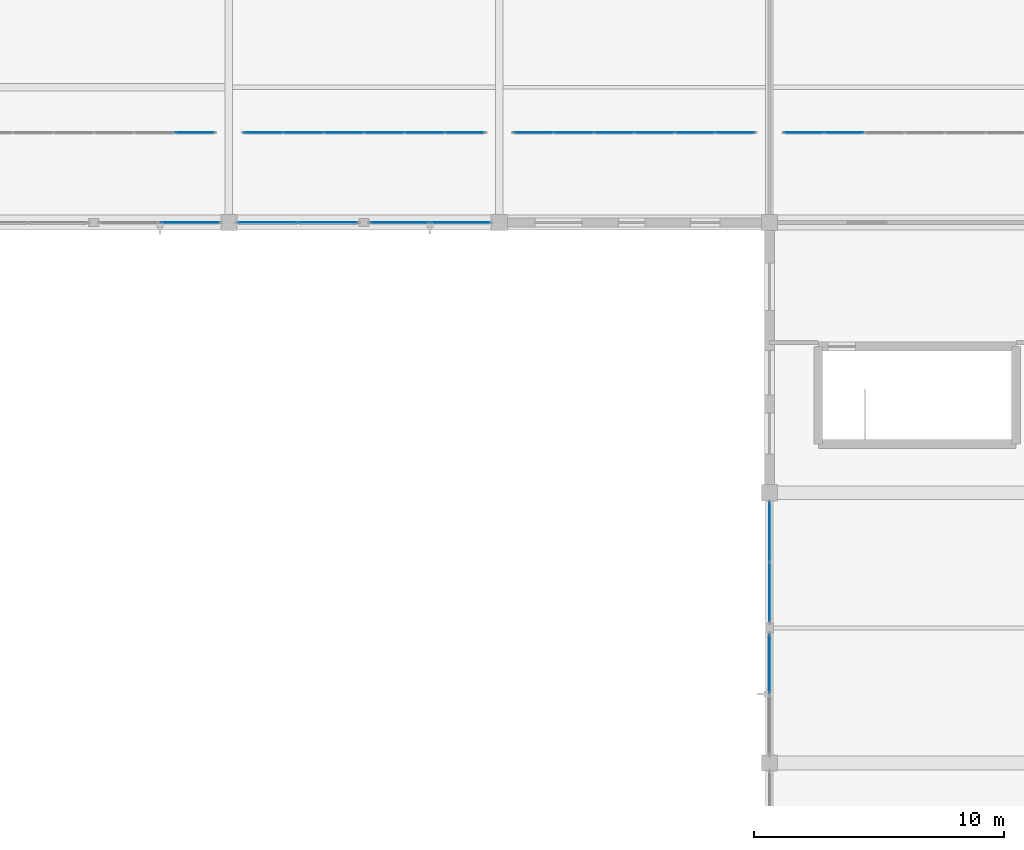
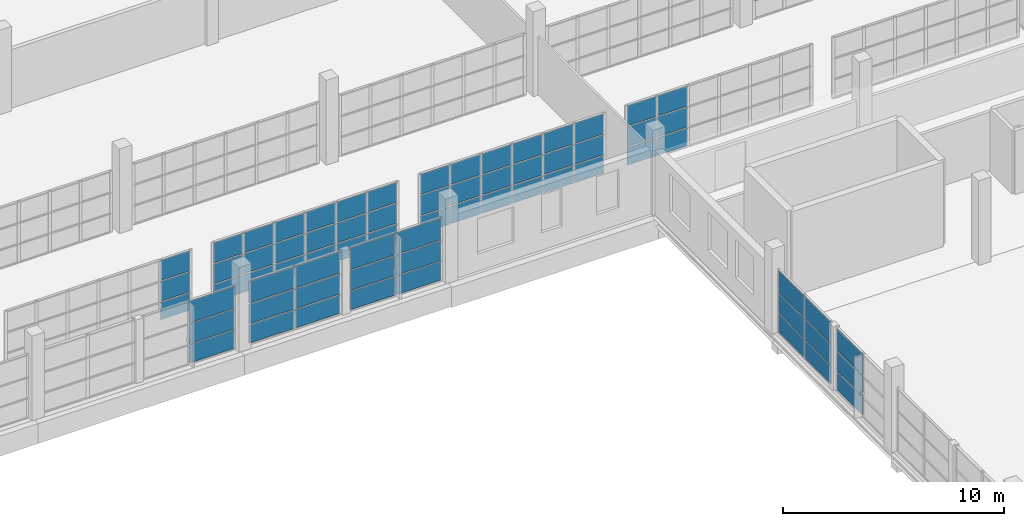
# One storey, part 99 of 142: 69 plates, 9 elements without a shape of their own.
"""IFC4 building model written with IfcOpenShell, lengths in metres."""

from ifc_helpers import new_model, si_unit, direction, frame, origin, origin_2d, place, context, subcontext, project, spatial, rectangle, extrude, material, layer, layer_set, type_object, element, aggregate, save


model = new_model("IFC4")

# Units and contexts
model_context = context("Model", 3, precision=1e-05, world=origin(), true_north=direction((0.0, 1.0)))
body_context = subcontext(model_context, "Body", "Model", "MODEL_VIEW")
ifc_project = project(units=[si_unit("LENGTHUNIT", "METRE"), si_unit("AREAUNIT", "SQUARE_METRE"), si_unit("VOLUMEUNIT", "CUBIC_METRE"), si_unit("PLANEANGLEUNIT", "RADIAN"), si_unit("MASSUNIT", "GRAM", prefix="KILO")], contexts=[model_context])

# Site, building, storey
site_placement = place(None, origin())
site = spatial("IfcSite", under=ifc_project, at=site_placement, CompositionType="ELEMENT")
building_placement = place(site_placement, origin())
building = spatial("IfcBuilding", under=site, at=building_placement, Name="Zwinboog Wholesale Market", CompositionType="ELEMENT")
storey_placement = place(building_placement, frame((0.0, 0.0, 5.39990234375)))
storey = spatial("IfcBuildingStorey", under=building, at=storey_placement, Name="L01", CompositionType="ELEMENT", Elevation=5.39990234375)

# Curtain wall, plates
ifc_material_1 = material(Name="Aluminium thermally broken curtain wall", Category="aluminium")
curtain_wall_type_1 = type_object("IfcCurtainWallType", Name="CWT-OFF-15", PredefinedType="USERDEFINED", material=ifc_material_1)
curtain_wall_1_placement = place(storey_placement, origin())
curtain_wall_1 = element("IfcCurtainWall", 1, at=curtain_wall_1_placement, inside=storey, type_object=curtain_wall_type_1, Name="CW-06 (CW-L01-114)", ObjectType="UNITIZED_CURTAIN_WALL", PredefinedType="USERDEFINED")
ifc_material_2 = material(Name="Triple solar-control insulated glazing", Category="glass")
ifc_layer_1 = layer(ifc_material_2, 0.0380859375)
ifc_layer_set_1 = layer_set([ifc_layer_1], Name="Triple solar-control insulated glazing")
plate_type_1 = type_object("IfcPlateType", Name="CWP-IGU-38", PredefinedType="CURTAIN_PANEL", material=ifc_layer_set_1)
plate_1_placement = place(storey_placement, frame((128.044921875, 86.39990234375, 0.06005859375), z_axis=(0.0, 0.0, 1.0), x_axis=(1.0, 0.0, 0.0)))
plate_1 = element("IfcPlate", 2, at=plate_1_placement, type_object=plate_type_1, Name="CW-06 panel 2.1", PredefinedType="CURTAIN_PANEL", context=body_context, shape_type="SweptSolid", body=[
    extrude(rectangle(XDim=2.35009765625, YDim=0.0380859375, at=origin_2d()), origin(), (0.0, 0.0, 1.0), 1.010009765625),
])
plate_2_placement = place(storey_placement, frame((128.044921875, 86.39990234375, 1.1298828125), z_axis=(0.0, 0.0, 1.0), x_axis=(1.0, 0.0, 0.0)))
plate_2 = element("IfcPlate", 3, at=plate_2_placement, type_object=plate_type_1, Name="CW-06 panel 2.2", PredefinedType="CURTAIN_PANEL", context=body_context, shape_type="SweptSolid", body=[
    extrude(rectangle(XDim=2.35009765625, YDim=0.0380859375, at=origin_2d()), origin(), (0.0, 0.0, 1.0), 1.090087890625),
])
plate_3_placement = place(storey_placement, frame((128.044921875, 86.39990234375, 2.280029296875), z_axis=(0.0, 0.0, 1.0), x_axis=(1.0, 0.0, 0.0)))
plate_3 = element("IfcPlate", 4, at=plate_3_placement, type_object=plate_type_1, Name="CW-06 panel 2.3", PredefinedType="CURTAIN_PANEL", context=body_context, shape_type="SweptSolid", body=[
    extrude(rectangle(XDim=2.35009765625, YDim=0.0380859375, at=origin_2d()), origin(), (0.0, 0.0, 1.0), 1.18994140625),
])
aggregate(curtain_wall_1, [plate_1, plate_2, plate_3])

curtain_wall_type_2 = type_object("IfcCurtainWallType", Name="CWT-CAFE-22", PredefinedType="USERDEFINED", material=ifc_material_1)
curtain_wall_2_placement = place(storey_placement, origin())
curtain_wall_2 = element("IfcCurtainWall", 5, at=curtain_wall_2_placement, inside=storey, type_object=curtain_wall_type_2, Name="CW-05 (CW-L01-119)", ObjectType="STOREFRONT_GLAZING", PredefinedType="USERDEFINED")
plate_4_placement = place(storey_placement, frame((131.15625, 86.39990234375, 0.065185546875), z_axis=(0.0, 0.0, 1.0), x_axis=(1.0, 0.0, 0.0)))
plate_4 = element("IfcPlate", 6, at=plate_4_placement, type_object=plate_type_1, Name="CW-05 panel 1.1", PredefinedType="CURTAIN_PANEL", context=body_context, shape_type="SweptSolid", body=[
    extrude(rectangle(XDim=2.342529296875, YDim=0.0380859375, at=origin_2d()), origin(), (0.0, 0.0, 1.0), 1.00244140625),
])
plate_5_placement = place(storey_placement, frame((131.15625, 86.39990234375, 1.132568359375), z_axis=(0.0, 0.0, 1.0), x_axis=(1.0, 0.0, 0.0)))
plate_5 = element("IfcPlate", 7, at=plate_5_placement, type_object=plate_type_1, Name="CW-05 panel 1.2", PredefinedType="CURTAIN_PANEL", context=body_context, shape_type="SweptSolid", body=[
    extrude(rectangle(XDim=2.342529296875, YDim=0.0380859375, at=origin_2d()), origin(), (0.0, 0.0, 1.0), 1.0849609375),
])
plate_6_placement = place(storey_placement, frame((131.15625, 86.39990234375, 2.282470703125), z_axis=(0.0, 0.0, 1.0), x_axis=(1.0, 0.0, 0.0)))
plate_6 = element("IfcPlate", 8, at=plate_6_placement, type_object=plate_type_1, Name="CW-05 panel 1.3", PredefinedType="CURTAIN_PANEL", context=body_context, shape_type="SweptSolid", body=[
    extrude(rectangle(XDim=2.342529296875, YDim=0.0380859375, at=origin_2d()), origin(), (0.0, 0.0, 1.0), 1.1826171875),
])
plate_7_placement = place(storey_placement, frame((133.563720703125, 86.39990234375, 0.065185546875), z_axis=(0.0, 0.0, 1.0), x_axis=(1.0, 0.0, 0.0)))
plate_7 = element("IfcPlate", 9, at=plate_7_placement, type_object=plate_type_1, Name="CW-05 panel 2.1", PredefinedType="CURTAIN_PANEL", context=body_context, shape_type="SweptSolid", body=[
    extrude(rectangle(XDim=2.342529296875, YDim=0.0380859375, at=origin_2d()), origin(), (0.0, 0.0, 1.0), 1.00244140625),
])
plate_8_placement = place(storey_placement, frame((133.563720703125, 86.39990234375, 1.132568359375), z_axis=(0.0, 0.0, 1.0), x_axis=(1.0, 0.0, 0.0)))
plate_8 = element("IfcPlate", 10, at=plate_8_placement, type_object=plate_type_1, Name="CW-05 panel 2.2", PredefinedType="CURTAIN_PANEL", context=body_context, shape_type="SweptSolid", body=[
    extrude(rectangle(XDim=2.342529296875, YDim=0.0380859375, at=origin_2d()), origin(), (0.0, 0.0, 1.0), 1.0849609375),
])
plate_9_placement = place(storey_placement, frame((133.563720703125, 86.39990234375, 2.282470703125), z_axis=(0.0, 0.0, 1.0), x_axis=(1.0, 0.0, 0.0)))
plate_9 = element("IfcPlate", 11, at=plate_9_placement, type_object=plate_type_1, Name="CW-05 panel 2.3", PredefinedType="CURTAIN_PANEL", context=body_context, shape_type="SweptSolid", body=[
    extrude(rectangle(XDim=2.342529296875, YDim=0.0380859375, at=origin_2d()), origin(), (0.0, 0.0, 1.0), 1.1826171875),
])
aggregate(curtain_wall_2, [plate_4, plate_5, plate_6, plate_7, plate_8, plate_9])

curtain_wall_3_placement = place(storey_placement, origin())
curtain_wall_3 = element("IfcCurtainWall", 12, at=curtain_wall_3_placement, inside=storey, type_object=curtain_wall_type_1, Name="CW-06 (CW-L01-120)", ObjectType="UNITIZED_CURTAIN_WALL", PredefinedType="USERDEFINED")
plate_10_placement = place(storey_placement, frame((136.43505859375, 86.39990234375, 0.06005859375), z_axis=(0.0, 0.0, 1.0), x_axis=(1.0, 0.0, 0.0)))
plate_10 = element("IfcPlate", 13, at=plate_10_placement, type_object=plate_type_1, Name="CW-06 panel 1.1", PredefinedType="CURTAIN_PANEL", context=body_context, shape_type="SweptSolid", body=[
    extrude(rectangle(XDim=2.35009765625, YDim=0.0380859375, at=origin_2d()), origin(), (0.0, 0.0, 1.0), 1.010009765625),
])
plate_11_placement = place(storey_placement, frame((136.43505859375, 86.39990234375, 1.1298828125), z_axis=(0.0, 0.0, 1.0), x_axis=(1.0, 0.0, 0.0)))
plate_11 = element("IfcPlate", 14, at=plate_11_placement, type_object=plate_type_1, Name="CW-06 panel 1.2", PredefinedType="CURTAIN_PANEL", context=body_context, shape_type="SweptSolid", body=[
    extrude(rectangle(XDim=2.35009765625, YDim=0.0380859375, at=origin_2d()), origin(), (0.0, 0.0, 1.0), 1.090087890625),
])
plate_12_placement = place(storey_placement, frame((136.43505859375, 86.39990234375, 2.280029296875), z_axis=(0.0, 0.0, 1.0), x_axis=(1.0, 0.0, 0.0)))
plate_12 = element("IfcPlate", 15, at=plate_12_placement, type_object=plate_type_1, Name="CW-06 panel 1.3", PredefinedType="CURTAIN_PANEL", context=body_context, shape_type="SweptSolid", body=[
    extrude(rectangle(XDim=2.35009765625, YDim=0.0380859375, at=origin_2d()), origin(), (0.0, 0.0, 1.0), 1.18994140625),
])
plate_13_placement = place(storey_placement, frame((138.844970703125, 86.39990234375, 0.06005859375), z_axis=(0.0, 0.0, 1.0), x_axis=(1.0, 0.0, 0.0)))
plate_13 = element("IfcPlate", 16, at=plate_13_placement, type_object=plate_type_1, Name="CW-06 panel 2.1", PredefinedType="CURTAIN_PANEL", context=body_context, shape_type="SweptSolid", body=[
    extrude(rectangle(XDim=2.35009765625, YDim=0.0380859375, at=origin_2d()), origin(), (0.0, 0.0, 1.0), 1.010009765625),
])
plate_14_placement = place(storey_placement, frame((138.844970703125, 86.39990234375, 1.1298828125), z_axis=(0.0, 0.0, 1.0), x_axis=(1.0, 0.0, 0.0)))
plate_14 = element("IfcPlate", 17, at=plate_14_placement, type_object=plate_type_1, Name="CW-06 panel 2.2", PredefinedType="CURTAIN_PANEL", context=body_context, shape_type="SweptSolid", body=[
    extrude(rectangle(XDim=2.35009765625, YDim=0.0380859375, at=origin_2d()), origin(), (0.0, 0.0, 1.0), 1.090087890625),
])
plate_15_placement = place(storey_placement, frame((138.844970703125, 86.39990234375, 2.280029296875), z_axis=(0.0, 0.0, 1.0), x_axis=(1.0, 0.0, 0.0)))
plate_15 = element("IfcPlate", 18, at=plate_15_placement, type_object=plate_type_1, Name="CW-06 panel 2.3", PredefinedType="CURTAIN_PANEL", context=body_context, shape_type="SweptSolid", body=[
    extrude(rectangle(XDim=2.35009765625, YDim=0.0380859375, at=origin_2d()), origin(), (0.0, 0.0, 1.0), 1.18994140625),
])
aggregate(curtain_wall_3, [plate_10, plate_11, plate_12, plate_13, plate_14, plate_15])

curtain_wall_type_3 = type_object("IfcCurtainWallType", Name="CWT-HALL-24", PredefinedType="USERDEFINED", material=ifc_material_1)
curtain_wall_4_placement = place(storey_placement, origin())
curtain_wall_4 = element("IfcCurtainWall", 19, at=curtain_wall_4_placement, inside=storey, type_object=curtain_wall_type_3, Name="CW-03 (CW-L01-129)", ObjectType="UNITIZED_CURTAIN_WALL", PredefinedType="USERDEFINED")
plate_16_placement = place(storey_placement, frame((151.199951171875, 68.763671875, 0.065185546875), z_axis=(0.0, 0.0, 1.0), x_axis=(0.0, 1.0, 0.0)))
plate_16 = element("IfcPlate", 20, at=plate_16_placement, type_object=plate_type_1, Name="CW-03 panel 2.1", PredefinedType="CURTAIN_PANEL", context=body_context, shape_type="SweptSolid", body=[
    extrude(rectangle(XDim=2.342529296875, YDim=0.0380859375, at=origin_2d()), origin(), (0.0, 0.0, 1.0), 1.00244140625),
])
plate_17_placement = place(storey_placement, frame((151.199951171875, 68.763671875, 1.132568359375), z_axis=(0.0, 0.0, 1.0), x_axis=(0.0, 1.0, 0.0)))
plate_17 = element("IfcPlate", 21, at=plate_17_placement, type_object=plate_type_1, Name="CW-03 panel 2.2", PredefinedType="CURTAIN_PANEL", context=body_context, shape_type="SweptSolid", body=[
    extrude(rectangle(XDim=2.342529296875, YDim=0.0380859375, at=origin_2d()), origin(), (0.0, 0.0, 1.0), 1.0849609375),
])
plate_18_placement = place(storey_placement, frame((151.199951171875, 68.763671875, 2.282470703125), z_axis=(0.0, 0.0, 1.0), x_axis=(0.0, 1.0, 0.0)))
plate_18 = element("IfcPlate", 22, at=plate_18_placement, type_object=plate_type_1, Name="CW-03 panel 2.3", PredefinedType="CURTAIN_PANEL", context=body_context, shape_type="SweptSolid", body=[
    extrude(rectangle(XDim=2.342529296875, YDim=0.0380859375, at=origin_2d()), origin(), (0.0, 0.0, 1.0), 1.1826171875),
])
aggregate(curtain_wall_4, [plate_16, plate_17, plate_18])

curtain_wall_type_4 = type_object("IfcCurtainWallType", Name="CWT-GAL-16", PredefinedType="USERDEFINED", material=ifc_material_1)
curtain_wall_5_placement = place(storey_placement, origin())
curtain_wall_5 = element("IfcCurtainWall", 23, at=curtain_wall_5_placement, inside=storey, type_object=curtain_wall_type_4, Name="CW-04 (CW-L01-130)", ObjectType="UNITIZED_CURTAIN_WALL", PredefinedType="USERDEFINED")
plate_19_placement = place(storey_placement, frame((151.199951171875, 71.635009765625, 0.06005859375), z_axis=(0.0, 0.0, 1.0), x_axis=(0.0, 1.0, 0.0)))
plate_19 = element("IfcPlate", 24, at=plate_19_placement, type_object=plate_type_1, Name="CW-04 panel 1.1", PredefinedType="CURTAIN_PANEL", context=body_context, shape_type="SweptSolid", body=[
    extrude(rectangle(XDim=2.35009765625, YDim=0.0380859375, at=origin_2d()), origin(), (0.0, 0.0, 1.0), 1.010009765625),
])
plate_20_placement = place(storey_placement, frame((151.199951171875, 71.635009765625, 1.1298828125), z_axis=(0.0, 0.0, 1.0), x_axis=(0.0, 1.0, 0.0)))
plate_20 = element("IfcPlate", 25, at=plate_20_placement, type_object=plate_type_1, Name="CW-04 panel 1.2", PredefinedType="CURTAIN_PANEL", context=body_context, shape_type="SweptSolid", body=[
    extrude(rectangle(XDim=2.35009765625, YDim=0.0380859375, at=origin_2d()), origin(), (0.0, 0.0, 1.0), 1.090087890625),
])
plate_21_placement = place(storey_placement, frame((151.199951171875, 71.635009765625, 2.280029296875), z_axis=(0.0, 0.0, 1.0), x_axis=(0.0, 1.0, 0.0)))
plate_21 = element("IfcPlate", 26, at=plate_21_placement, type_object=plate_type_1, Name="CW-04 panel 1.3", PredefinedType="CURTAIN_PANEL", context=body_context, shape_type="SweptSolid", body=[
    extrude(rectangle(XDim=2.35009765625, YDim=0.0380859375, at=origin_2d()), origin(), (0.0, 0.0, 1.0), 1.18994140625),
])
plate_22_placement = place(storey_placement, frame((151.199951171875, 74.044921875, 0.06005859375), z_axis=(0.0, 0.0, 1.0), x_axis=(0.0, 1.0, 0.0)))
plate_22 = element("IfcPlate", 27, at=plate_22_placement, type_object=plate_type_1, Name="CW-04 panel 2.1", PredefinedType="CURTAIN_PANEL", context=body_context, shape_type="SweptSolid", body=[
    extrude(rectangle(XDim=2.35009765625, YDim=0.0380859375, at=origin_2d()), origin(), (0.0, 0.0, 1.0), 1.010009765625),
])
plate_23_placement = place(storey_placement, frame((151.199951171875, 74.044921875, 1.1298828125), z_axis=(0.0, 0.0, 1.0), x_axis=(0.0, 1.0, 0.0)))
plate_23 = element("IfcPlate", 28, at=plate_23_placement, type_object=plate_type_1, Name="CW-04 panel 2.2", PredefinedType="CURTAIN_PANEL", context=body_context, shape_type="SweptSolid", body=[
    extrude(rectangle(XDim=2.35009765625, YDim=0.0380859375, at=origin_2d()), origin(), (0.0, 0.0, 1.0), 1.090087890625),
])
plate_24_placement = place(storey_placement, frame((151.199951171875, 74.044921875, 2.280029296875), z_axis=(0.0, 0.0, 1.0), x_axis=(0.0, 1.0, 0.0)))
plate_24 = element("IfcPlate", 29, at=plate_24_placement, type_object=plate_type_1, Name="CW-04 panel 2.3", PredefinedType="CURTAIN_PANEL", context=body_context, shape_type="SweptSolid", body=[
    extrude(rectangle(XDim=2.35009765625, YDim=0.0380859375, at=origin_2d()), origin(), (0.0, 0.0, 1.0), 1.18994140625),
])
aggregate(curtain_wall_5, [plate_19, plate_20, plate_21, plate_22, plate_23, plate_24])

curtain_wall_type_5 = type_object("IfcCurtainWallType", Name="CWT-INT-STALL", PredefinedType="USERDEFINED", material=ifc_material_1)
curtain_wall_6_placement = place(storey_placement, origin())
curtain_wall_6 = element("IfcCurtainWall", 30, at=curtain_wall_6_placement, inside=storey, type_object=curtain_wall_type_5, Name="CW-07 (CW-STL-240)", ObjectType="STOREFRONT_GLAZING", PredefinedType="USERDEFINED")
ifc_material_3 = material(Name="Tempered laminated market stall glazing", Category="glass")
ifc_layer_2 = layer(ifc_material_3, 0.01611328125)
ifc_layer_set_2 = layer_set([ifc_layer_2], Name="Tempered laminated market stall glazing")
plate_type_2 = type_object("IfcPlateType", Name="CWP-INT-16", PredefinedType="CURTAIN_PANEL", material=ifc_layer_set_2)
plate_25_placement = place(storey_placement, frame((128.2265625, 90.0, 0.06005859375), z_axis=(0.0, 0.0, 1.0), x_axis=(1.0, 0.0, 0.0)))
plate_25 = element("IfcPlate", 31, at=plate_25_placement, type_object=plate_type_2, Name="CW-07 panel 6.1", PredefinedType="CURTAIN_PANEL", context=body_context, shape_type="SweptSolid", body=[
    extrude(rectangle(XDim=1.526611328125, YDim=0.01611328125, at=origin_2d()), origin(), (0.0, 0.0, 1.0), 0.9599609375),
])
plate_26_placement = place(storey_placement, frame((128.2265625, 90.0, 1.080078125), z_axis=(0.0, 0.0, 1.0), x_axis=(1.0, 0.0, 0.0)))
plate_26 = element("IfcPlate", 32, at=plate_26_placement, type_object=plate_type_2, Name="CW-07 panel 6.2", PredefinedType="CURTAIN_PANEL", context=body_context, shape_type="SweptSolid", body=[
    extrude(rectangle(XDim=1.526611328125, YDim=0.01611328125, at=origin_2d()), origin(), (0.0, 0.0, 1.0), 1.090087890625),
])
plate_27_placement = place(storey_placement, frame((128.2265625, 90.0, 2.22998046875), z_axis=(0.0, 0.0, 1.0), x_axis=(1.0, 0.0, 0.0)))
plate_27 = element("IfcPlate", 33, at=plate_27_placement, type_object=plate_type_2, Name="CW-07 panel 6.3", PredefinedType="CURTAIN_PANEL", context=body_context, shape_type="SweptSolid", body=[
    extrude(rectangle(XDim=1.526611328125, YDim=0.01611328125, at=origin_2d()), origin(), (0.0, 0.0, 1.0), 1.110107421875),
])
aggregate(curtain_wall_6, [plate_25, plate_26, plate_27])

curtain_wall_7_placement = place(storey_placement, origin())
curtain_wall_7 = element("IfcCurtainWall", 34, at=curtain_wall_7_placement, inside=storey, type_object=curtain_wall_type_5, Name="CW-07 (CW-STL-241)", ObjectType="STOREFRONT_GLAZING", PredefinedType="USERDEFINED")
plate_28_placement = place(storey_placement, frame((130.973388671875, 90.0, 0.06005859375), z_axis=(0.0, 0.0, 1.0), x_axis=(1.0, 0.0, 0.0)))
plate_28 = element("IfcPlate", 35, at=plate_28_placement, type_object=plate_type_2, Name="CW-07 panel 1.1", PredefinedType="CURTAIN_PANEL", context=body_context, shape_type="SweptSolid", body=[
    extrude(rectangle(XDim=1.526611328125, YDim=0.01611328125, at=origin_2d()), origin(), (0.0, 0.0, 1.0), 0.9599609375),
])
plate_29_placement = place(storey_placement, frame((130.973388671875, 90.0, 1.080078125), z_axis=(0.0, 0.0, 1.0), x_axis=(1.0, 0.0, 0.0)))
plate_29 = element("IfcPlate", 36, at=plate_29_placement, type_object=plate_type_2, Name="CW-07 panel 1.2", PredefinedType="CURTAIN_PANEL", context=body_context, shape_type="SweptSolid", body=[
    extrude(rectangle(XDim=1.526611328125, YDim=0.01611328125, at=origin_2d()), origin(), (0.0, 0.0, 1.0), 1.090087890625),
])
plate_30_placement = place(storey_placement, frame((130.973388671875, 90.0, 2.22998046875), z_axis=(0.0, 0.0, 1.0), x_axis=(1.0, 0.0, 0.0)))
plate_30 = element("IfcPlate", 37, at=plate_30_placement, type_object=plate_type_2, Name="CW-07 panel 1.3", PredefinedType="CURTAIN_PANEL", context=body_context, shape_type="SweptSolid", body=[
    extrude(rectangle(XDim=1.526611328125, YDim=0.01611328125, at=origin_2d()), origin(), (0.0, 0.0, 1.0), 1.110107421875),
])
plate_31_placement = place(storey_placement, frame((132.574951171875, 90.0, 0.06005859375), z_axis=(0.0, 0.0, 1.0), x_axis=(1.0, 0.0, 0.0)))
plate_31 = element("IfcPlate", 38, at=plate_31_placement, type_object=plate_type_2, Name="CW-07 panel 2.1", PredefinedType="CURTAIN_PANEL", context=body_context, shape_type="SweptSolid", body=[
    extrude(rectangle(XDim=1.556640625, YDim=0.01611328125, at=origin_2d()), origin(), (0.0, 0.0, 1.0), 0.9599609375),
])
plate_32_placement = place(storey_placement, frame((132.574951171875, 90.0, 1.080078125), z_axis=(0.0, 0.0, 1.0), x_axis=(1.0, 0.0, 0.0)))
plate_32 = element("IfcPlate", 39, at=plate_32_placement, type_object=plate_type_2, Name="CW-07 panel 2.2", PredefinedType="CURTAIN_PANEL", context=body_context, shape_type="SweptSolid", body=[
    extrude(rectangle(XDim=1.556640625, YDim=0.01611328125, at=origin_2d()), origin(), (0.0, 0.0, 1.0), 1.090087890625),
])
plate_33_placement = place(storey_placement, frame((132.574951171875, 90.0, 2.22998046875), z_axis=(0.0, 0.0, 1.0), x_axis=(1.0, 0.0, 0.0)))
plate_33 = element("IfcPlate", 40, at=plate_33_placement, type_object=plate_type_2, Name="CW-07 panel 2.3", PredefinedType="CURTAIN_PANEL", context=body_context, shape_type="SweptSolid", body=[
    extrude(rectangle(XDim=1.556640625, YDim=0.01611328125, at=origin_2d()), origin(), (0.0, 0.0, 1.0), 1.110107421875),
])
plate_34_placement = place(storey_placement, frame((134.191650390625, 90.0, 0.06005859375), z_axis=(0.0, 0.0, 1.0), x_axis=(1.0, 0.0, 0.0)))
plate_34 = element("IfcPlate", 41, at=plate_34_placement, type_object=plate_type_2, Name="CW-07 panel 3.1", PredefinedType="CURTAIN_PANEL", context=body_context, shape_type="SweptSolid", body=[
    extrude(rectangle(XDim=1.556640625, YDim=0.01611328125, at=origin_2d()), origin(), (0.0, 0.0, 1.0), 0.9599609375),
])
plate_35_placement = place(storey_placement, frame((134.191650390625, 90.0, 1.080078125), z_axis=(0.0, 0.0, 1.0), x_axis=(1.0, 0.0, 0.0)))
plate_35 = element("IfcPlate", 42, at=plate_35_placement, type_object=plate_type_2, Name="CW-07 panel 3.2", PredefinedType="CURTAIN_PANEL", context=body_context, shape_type="SweptSolid", body=[
    extrude(rectangle(XDim=1.556640625, YDim=0.01611328125, at=origin_2d()), origin(), (0.0, 0.0, 1.0), 1.090087890625),
])
plate_36_placement = place(storey_placement, frame((134.191650390625, 90.0, 2.22998046875), z_axis=(0.0, 0.0, 1.0), x_axis=(1.0, 0.0, 0.0)))
plate_36 = element("IfcPlate", 43, at=plate_36_placement, type_object=plate_type_2, Name="CW-07 panel 3.3", PredefinedType="CURTAIN_PANEL", context=body_context, shape_type="SweptSolid", body=[
    extrude(rectangle(XDim=1.556640625, YDim=0.01611328125, at=origin_2d()), origin(), (0.0, 0.0, 1.0), 1.110107421875),
])
plate_37_placement = place(storey_placement, frame((135.808349609375, 90.0, 0.06005859375), z_axis=(0.0, 0.0, 1.0), x_axis=(1.0, 0.0, 0.0)))
plate_37 = element("IfcPlate", 44, at=plate_37_placement, type_object=plate_type_2, Name="CW-07 panel 4.1", PredefinedType="CURTAIN_PANEL", context=body_context, shape_type="SweptSolid", body=[
    extrude(rectangle(XDim=1.556640625, YDim=0.01611328125, at=origin_2d()), origin(), (0.0, 0.0, 1.0), 0.9599609375),
])
plate_38_placement = place(storey_placement, frame((135.808349609375, 90.0, 1.080078125), z_axis=(0.0, 0.0, 1.0), x_axis=(1.0, 0.0, 0.0)))
plate_38 = element("IfcPlate", 45, at=plate_38_placement, type_object=plate_type_2, Name="CW-07 panel 4.2", PredefinedType="CURTAIN_PANEL", context=body_context, shape_type="SweptSolid", body=[
    extrude(rectangle(XDim=1.556640625, YDim=0.01611328125, at=origin_2d()), origin(), (0.0, 0.0, 1.0), 1.090087890625),
])
plate_39_placement = place(storey_placement, frame((135.808349609375, 90.0, 2.22998046875), z_axis=(0.0, 0.0, 1.0), x_axis=(1.0, 0.0, 0.0)))
plate_39 = element("IfcPlate", 46, at=plate_39_placement, type_object=plate_type_2, Name="CW-07 panel 4.3", PredefinedType="CURTAIN_PANEL", context=body_context, shape_type="SweptSolid", body=[
    extrude(rectangle(XDim=1.556640625, YDim=0.01611328125, at=origin_2d()), origin(), (0.0, 0.0, 1.0), 1.110107421875),
])
plate_40_placement = place(storey_placement, frame((137.425048828125, 90.0, 0.06005859375), z_axis=(0.0, 0.0, 1.0), x_axis=(1.0, 0.0, 0.0)))
plate_40 = element("IfcPlate", 47, at=plate_40_placement, type_object=plate_type_2, Name="CW-07 panel 5.1", PredefinedType="CURTAIN_PANEL", context=body_context, shape_type="SweptSolid", body=[
    extrude(rectangle(XDim=1.556640625, YDim=0.01611328125, at=origin_2d()), origin(), (0.0, 0.0, 1.0), 0.9599609375),
])
plate_41_placement = place(storey_placement, frame((137.425048828125, 90.0, 1.080078125), z_axis=(0.0, 0.0, 1.0), x_axis=(1.0, 0.0, 0.0)))
plate_41 = element("IfcPlate", 48, at=plate_41_placement, type_object=plate_type_2, Name="CW-07 panel 5.2", PredefinedType="CURTAIN_PANEL", context=body_context, shape_type="SweptSolid", body=[
    extrude(rectangle(XDim=1.556640625, YDim=0.01611328125, at=origin_2d()), origin(), (0.0, 0.0, 1.0), 1.090087890625),
])
plate_42_placement = place(storey_placement, frame((137.425048828125, 90.0, 2.22998046875), z_axis=(0.0, 0.0, 1.0), x_axis=(1.0, 0.0, 0.0)))
plate_42 = element("IfcPlate", 49, at=plate_42_placement, type_object=plate_type_2, Name="CW-07 panel 5.3", PredefinedType="CURTAIN_PANEL", context=body_context, shape_type="SweptSolid", body=[
    extrude(rectangle(XDim=1.556640625, YDim=0.01611328125, at=origin_2d()), origin(), (0.0, 0.0, 1.0), 1.110107421875),
])
plate_43_placement = place(storey_placement, frame((139.026611328125, 90.0, 0.06005859375), z_axis=(0.0, 0.0, 1.0), x_axis=(1.0, 0.0, 0.0)))
plate_43 = element("IfcPlate", 50, at=plate_43_placement, type_object=plate_type_2, Name="CW-07 panel 6.1", PredefinedType="CURTAIN_PANEL", context=body_context, shape_type="SweptSolid", body=[
    extrude(rectangle(XDim=1.526611328125, YDim=0.01611328125, at=origin_2d()), origin(), (0.0, 0.0, 1.0), 0.9599609375),
])
plate_44_placement = place(storey_placement, frame((139.026611328125, 90.0, 1.080078125), z_axis=(0.0, 0.0, 1.0), x_axis=(1.0, 0.0, 0.0)))
plate_44 = element("IfcPlate", 51, at=plate_44_placement, type_object=plate_type_2, Name="CW-07 panel 6.2", PredefinedType="CURTAIN_PANEL", context=body_context, shape_type="SweptSolid", body=[
    extrude(rectangle(XDim=1.526611328125, YDim=0.01611328125, at=origin_2d()), origin(), (0.0, 0.0, 1.0), 1.090087890625),
])
plate_45_placement = place(storey_placement, frame((139.026611328125, 90.0, 2.22998046875), z_axis=(0.0, 0.0, 1.0), x_axis=(1.0, 0.0, 0.0)))
plate_45 = element("IfcPlate", 52, at=plate_45_placement, type_object=plate_type_2, Name="CW-07 panel 6.3", PredefinedType="CURTAIN_PANEL", context=body_context, shape_type="SweptSolid", body=[
    extrude(rectangle(XDim=1.526611328125, YDim=0.01611328125, at=origin_2d()), origin(), (0.0, 0.0, 1.0), 1.110107421875),
])
aggregate(curtain_wall_7, [plate_28, plate_29, plate_30, plate_31, plate_32, plate_33, plate_34, plate_35, plate_36, plate_37, plate_38, plate_39, plate_40, plate_41, plate_42, plate_43, plate_44, plate_45])

curtain_wall_8_placement = place(storey_placement, origin())
curtain_wall_8 = element("IfcCurtainWall", 53, at=curtain_wall_8_placement, inside=storey, type_object=curtain_wall_type_5, Name="CW-07 (CW-STL-242)", ObjectType="STOREFRONT_GLAZING", PredefinedType="USERDEFINED")
plate_46_placement = place(storey_placement, frame((141.7734375, 90.0, 0.06005859375), z_axis=(0.0, 0.0, 1.0), x_axis=(1.0, 0.0, 0.0)))
plate_46 = element("IfcPlate", 54, at=plate_46_placement, type_object=plate_type_2, Name="CW-07 panel 1.1", PredefinedType="CURTAIN_PANEL", context=body_context, shape_type="SweptSolid", body=[
    extrude(rectangle(XDim=1.526611328125, YDim=0.01611328125, at=origin_2d()), origin(), (0.0, 0.0, 1.0), 0.9599609375),
])
plate_47_placement = place(storey_placement, frame((141.7734375, 90.0, 1.080078125), z_axis=(0.0, 0.0, 1.0), x_axis=(1.0, 0.0, 0.0)))
plate_47 = element("IfcPlate", 55, at=plate_47_placement, type_object=plate_type_2, Name="CW-07 panel 1.2", PredefinedType="CURTAIN_PANEL", context=body_context, shape_type="SweptSolid", body=[
    extrude(rectangle(XDim=1.526611328125, YDim=0.01611328125, at=origin_2d()), origin(), (0.0, 0.0, 1.0), 1.090087890625),
])
plate_48_placement = place(storey_placement, frame((141.7734375, 90.0, 2.22998046875), z_axis=(0.0, 0.0, 1.0), x_axis=(1.0, 0.0, 0.0)))
plate_48 = element("IfcPlate", 56, at=plate_48_placement, type_object=plate_type_2, Name="CW-07 panel 1.3", PredefinedType="CURTAIN_PANEL", context=body_context, shape_type="SweptSolid", body=[
    extrude(rectangle(XDim=1.526611328125, YDim=0.01611328125, at=origin_2d()), origin(), (0.0, 0.0, 1.0), 1.110107421875),
])
plate_49_placement = place(storey_placement, frame((143.375, 90.0, 0.06005859375), z_axis=(0.0, 0.0, 1.0), x_axis=(1.0, 0.0, 0.0)))
plate_49 = element("IfcPlate", 57, at=plate_49_placement, type_object=plate_type_2, Name="CW-07 panel 2.1", PredefinedType="CURTAIN_PANEL", context=body_context, shape_type="SweptSolid", body=[
    extrude(rectangle(XDim=1.556640625, YDim=0.01611328125, at=origin_2d()), origin(), (0.0, 0.0, 1.0), 0.9599609375),
])
plate_50_placement = place(storey_placement, frame((143.375, 90.0, 1.080078125), z_axis=(0.0, 0.0, 1.0), x_axis=(1.0, 0.0, 0.0)))
plate_50 = element("IfcPlate", 58, at=plate_50_placement, type_object=plate_type_2, Name="CW-07 panel 2.2", PredefinedType="CURTAIN_PANEL", context=body_context, shape_type="SweptSolid", body=[
    extrude(rectangle(XDim=1.556640625, YDim=0.01611328125, at=origin_2d()), origin(), (0.0, 0.0, 1.0), 1.090087890625),
])
plate_51_placement = place(storey_placement, frame((143.375, 90.0, 2.22998046875), z_axis=(0.0, 0.0, 1.0), x_axis=(1.0, 0.0, 0.0)))
plate_51 = element("IfcPlate", 59, at=plate_51_placement, type_object=plate_type_2, Name="CW-07 panel 2.3", PredefinedType="CURTAIN_PANEL", context=body_context, shape_type="SweptSolid", body=[
    extrude(rectangle(XDim=1.556640625, YDim=0.01611328125, at=origin_2d()), origin(), (0.0, 0.0, 1.0), 1.110107421875),
])
plate_52_placement = place(storey_placement, frame((144.99169921875, 90.0, 0.06005859375), z_axis=(0.0, 0.0, 1.0), x_axis=(1.0, 0.0, 0.0)))
plate_52 = element("IfcPlate", 60, at=plate_52_placement, type_object=plate_type_2, Name="CW-07 panel 3.1", PredefinedType="CURTAIN_PANEL", context=body_context, shape_type="SweptSolid", body=[
    extrude(rectangle(XDim=1.556640625, YDim=0.01611328125, at=origin_2d()), origin(), (0.0, 0.0, 1.0), 0.9599609375),
])
plate_53_placement = place(storey_placement, frame((144.99169921875, 90.0, 1.080078125), z_axis=(0.0, 0.0, 1.0), x_axis=(1.0, 0.0, 0.0)))
plate_53 = element("IfcPlate", 61, at=plate_53_placement, type_object=plate_type_2, Name="CW-07 panel 3.2", PredefinedType="CURTAIN_PANEL", context=body_context, shape_type="SweptSolid", body=[
    extrude(rectangle(XDim=1.556640625, YDim=0.01611328125, at=origin_2d()), origin(), (0.0, 0.0, 1.0), 1.090087890625),
])
plate_54_placement = place(storey_placement, frame((144.99169921875, 90.0, 2.22998046875), z_axis=(0.0, 0.0, 1.0), x_axis=(1.0, 0.0, 0.0)))
plate_54 = element("IfcPlate", 62, at=plate_54_placement, type_object=plate_type_2, Name="CW-07 panel 3.3", PredefinedType="CURTAIN_PANEL", context=body_context, shape_type="SweptSolid", body=[
    extrude(rectangle(XDim=1.556640625, YDim=0.01611328125, at=origin_2d()), origin(), (0.0, 0.0, 1.0), 1.110107421875),
])
plate_55_placement = place(storey_placement, frame((146.6083984375, 90.0, 0.06005859375), z_axis=(0.0, 0.0, 1.0), x_axis=(1.0, 0.0, 0.0)))
plate_55 = element("IfcPlate", 63, at=plate_55_placement, type_object=plate_type_2, Name="CW-07 panel 4.1", PredefinedType="CURTAIN_PANEL", context=body_context, shape_type="SweptSolid", body=[
    extrude(rectangle(XDim=1.556640625, YDim=0.01611328125, at=origin_2d()), origin(), (0.0, 0.0, 1.0), 0.9599609375),
])
plate_56_placement = place(storey_placement, frame((146.6083984375, 90.0, 1.080078125), z_axis=(0.0, 0.0, 1.0), x_axis=(1.0, 0.0, 0.0)))
plate_56 = element("IfcPlate", 64, at=plate_56_placement, type_object=plate_type_2, Name="CW-07 panel 4.2", PredefinedType="CURTAIN_PANEL", context=body_context, shape_type="SweptSolid", body=[
    extrude(rectangle(XDim=1.556640625, YDim=0.01611328125, at=origin_2d()), origin(), (0.0, 0.0, 1.0), 1.090087890625),
])
plate_57_placement = place(storey_placement, frame((146.6083984375, 90.0, 2.22998046875), z_axis=(0.0, 0.0, 1.0), x_axis=(1.0, 0.0, 0.0)))
plate_57 = element("IfcPlate", 65, at=plate_57_placement, type_object=plate_type_2, Name="CW-07 panel 4.3", PredefinedType="CURTAIN_PANEL", context=body_context, shape_type="SweptSolid", body=[
    extrude(rectangle(XDim=1.556640625, YDim=0.01611328125, at=origin_2d()), origin(), (0.0, 0.0, 1.0), 1.110107421875),
])
plate_58_placement = place(storey_placement, frame((148.22509765625, 90.0, 0.06005859375), z_axis=(0.0, 0.0, 1.0), x_axis=(1.0, 0.0, 0.0)))
plate_58 = element("IfcPlate", 66, at=plate_58_placement, type_object=plate_type_2, Name="CW-07 panel 5.1", PredefinedType="CURTAIN_PANEL", context=body_context, shape_type="SweptSolid", body=[
    extrude(rectangle(XDim=1.556640625, YDim=0.01611328125, at=origin_2d()), origin(), (0.0, 0.0, 1.0), 0.9599609375),
])
plate_59_placement = place(storey_placement, frame((148.22509765625, 90.0, 1.080078125), z_axis=(0.0, 0.0, 1.0), x_axis=(1.0, 0.0, 0.0)))
plate_59 = element("IfcPlate", 67, at=plate_59_placement, type_object=plate_type_2, Name="CW-07 panel 5.2", PredefinedType="CURTAIN_PANEL", context=body_context, shape_type="SweptSolid", body=[
    extrude(rectangle(XDim=1.556640625, YDim=0.01611328125, at=origin_2d()), origin(), (0.0, 0.0, 1.0), 1.090087890625),
])
plate_60_placement = place(storey_placement, frame((148.22509765625, 90.0, 2.22998046875), z_axis=(0.0, 0.0, 1.0), x_axis=(1.0, 0.0, 0.0)))
plate_60 = element("IfcPlate", 68, at=plate_60_placement, type_object=plate_type_2, Name="CW-07 panel 5.3", PredefinedType="CURTAIN_PANEL", context=body_context, shape_type="SweptSolid", body=[
    extrude(rectangle(XDim=1.556640625, YDim=0.01611328125, at=origin_2d()), origin(), (0.0, 0.0, 1.0), 1.110107421875),
])
plate_61_placement = place(storey_placement, frame((149.82666015625, 90.0, 0.06005859375), z_axis=(0.0, 0.0, 1.0), x_axis=(1.0, 0.0, 0.0)))
plate_61 = element("IfcPlate", 69, at=plate_61_placement, type_object=plate_type_2, Name="CW-07 panel 6.1", PredefinedType="CURTAIN_PANEL", context=body_context, shape_type="SweptSolid", body=[
    extrude(rectangle(XDim=1.526611328125, YDim=0.01611328125, at=origin_2d()), origin(), (0.0, 0.0, 1.0), 0.9599609375),
])
plate_62_placement = place(storey_placement, frame((149.82666015625, 90.0, 1.080078125), z_axis=(0.0, 0.0, 1.0), x_axis=(1.0, 0.0, 0.0)))
plate_62 = element("IfcPlate", 70, at=plate_62_placement, type_object=plate_type_2, Name="CW-07 panel 6.2", PredefinedType="CURTAIN_PANEL", context=body_context, shape_type="SweptSolid", body=[
    extrude(rectangle(XDim=1.526611328125, YDim=0.01611328125, at=origin_2d()), origin(), (0.0, 0.0, 1.0), 1.090087890625),
])
plate_63_placement = place(storey_placement, frame((149.82666015625, 90.0, 2.22998046875), z_axis=(0.0, 0.0, 1.0), x_axis=(1.0, 0.0, 0.0)))
plate_63 = element("IfcPlate", 71, at=plate_63_placement, type_object=plate_type_2, Name="CW-07 panel 6.3", PredefinedType="CURTAIN_PANEL", context=body_context, shape_type="SweptSolid", body=[
    extrude(rectangle(XDim=1.526611328125, YDim=0.01611328125, at=origin_2d()), origin(), (0.0, 0.0, 1.0), 1.110107421875),
])
aggregate(curtain_wall_8, [plate_46, plate_47, plate_48, plate_49, plate_50, plate_51, plate_52, plate_53, plate_54, plate_55, plate_56, plate_57, plate_58, plate_59, plate_60, plate_61, plate_62, plate_63])

curtain_wall_9_placement = place(storey_placement, origin())
curtain_wall_9 = element("IfcCurtainWall", 72, at=curtain_wall_9_placement, inside=storey, type_object=curtain_wall_type_5, Name="CW-07 (CW-STL-243)", ObjectType="STOREFRONT_GLAZING", PredefinedType="USERDEFINED")
plate_64_placement = place(storey_placement, frame((152.5732421875, 90.0, 0.06005859375), z_axis=(0.0, 0.0, 1.0), x_axis=(1.0, 0.0, 0.0)))
plate_64 = element("IfcPlate", 73, at=plate_64_placement, type_object=plate_type_2, Name="CW-07 panel 1.1", PredefinedType="CURTAIN_PANEL", context=body_context, shape_type="SweptSolid", body=[
    extrude(rectangle(XDim=1.526611328125, YDim=0.01611328125, at=origin_2d()), origin(), (0.0, 0.0, 1.0), 0.9599609375),
])
plate_65_placement = place(storey_placement, frame((152.5732421875, 90.0, 1.080078125), z_axis=(0.0, 0.0, 1.0), x_axis=(1.0, 0.0, 0.0)))
plate_65 = element("IfcPlate", 74, at=plate_65_placement, type_object=plate_type_2, Name="CW-07 panel 1.2", PredefinedType="CURTAIN_PANEL", context=body_context, shape_type="SweptSolid", body=[
    extrude(rectangle(XDim=1.526611328125, YDim=0.01611328125, at=origin_2d()), origin(), (0.0, 0.0, 1.0), 1.090087890625),
])
plate_66_placement = place(storey_placement, frame((152.5732421875, 90.0, 2.22998046875), z_axis=(0.0, 0.0, 1.0), x_axis=(1.0, 0.0, 0.0)))
plate_66 = element("IfcPlate", 75, at=plate_66_placement, type_object=plate_type_2, Name="CW-07 panel 1.3", PredefinedType="CURTAIN_PANEL", context=body_context, shape_type="SweptSolid", body=[
    extrude(rectangle(XDim=1.526611328125, YDim=0.01611328125, at=origin_2d()), origin(), (0.0, 0.0, 1.0), 1.110107421875),
])
plate_67_placement = place(storey_placement, frame((154.175048828125, 90.0, 0.06005859375), z_axis=(0.0, 0.0, 1.0), x_axis=(1.0, 0.0, 0.0)))
plate_67 = element("IfcPlate", 76, at=plate_67_placement, type_object=plate_type_2, Name="CW-07 panel 2.1", PredefinedType="CURTAIN_PANEL", context=body_context, shape_type="SweptSolid", body=[
    extrude(rectangle(XDim=1.556640625, YDim=0.01611328125, at=origin_2d()), origin(), (0.0, 0.0, 1.0), 0.9599609375),
])
plate_68_placement = place(storey_placement, frame((154.175048828125, 90.0, 1.080078125), z_axis=(0.0, 0.0, 1.0), x_axis=(1.0, 0.0, 0.0)))
plate_68 = element("IfcPlate", 77, at=plate_68_placement, type_object=plate_type_2, Name="CW-07 panel 2.2", PredefinedType="CURTAIN_PANEL", context=body_context, shape_type="SweptSolid", body=[
    extrude(rectangle(XDim=1.556640625, YDim=0.01611328125, at=origin_2d()), origin(), (0.0, 0.0, 1.0), 1.090087890625),
])
plate_69_placement = place(storey_placement, frame((154.175048828125, 90.0, 2.22998046875), z_axis=(0.0, 0.0, 1.0), x_axis=(1.0, 0.0, 0.0)))
plate_69 = element("IfcPlate", 78, at=plate_69_placement, type_object=plate_type_2, Name="CW-07 panel 2.3", PredefinedType="CURTAIN_PANEL", context=body_context, shape_type="SweptSolid", body=[
    extrude(rectangle(XDim=1.556640625, YDim=0.01611328125, at=origin_2d()), origin(), (0.0, 0.0, 1.0), 1.110107421875),
])
aggregate(curtain_wall_9, [plate_64, plate_65, plate_66, plate_67, plate_68, plate_69])

save(model, "model.ifc")
